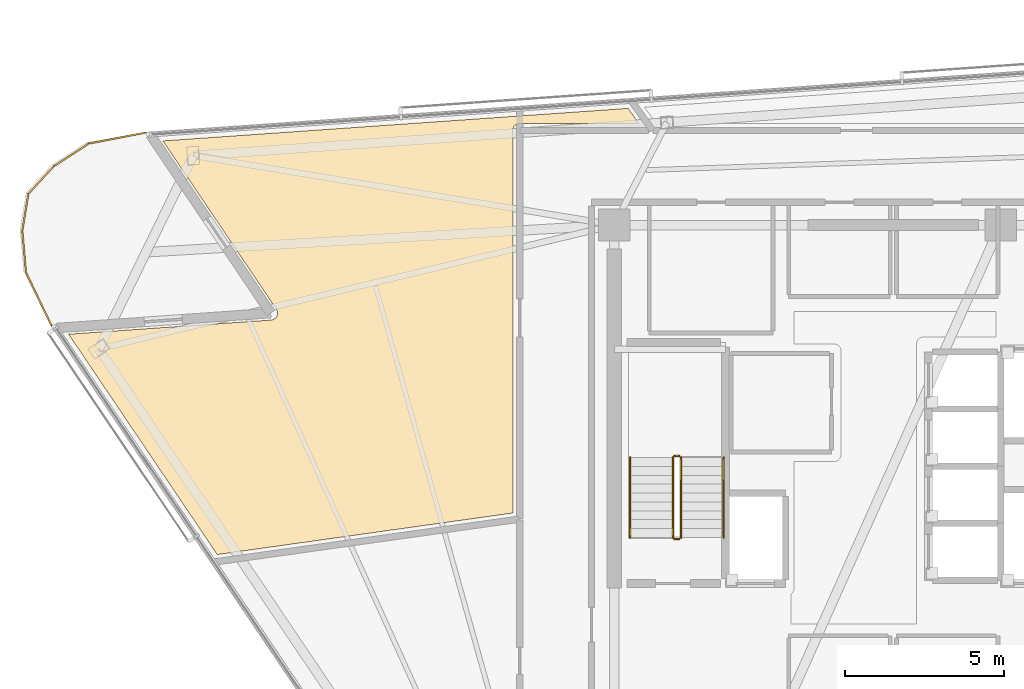
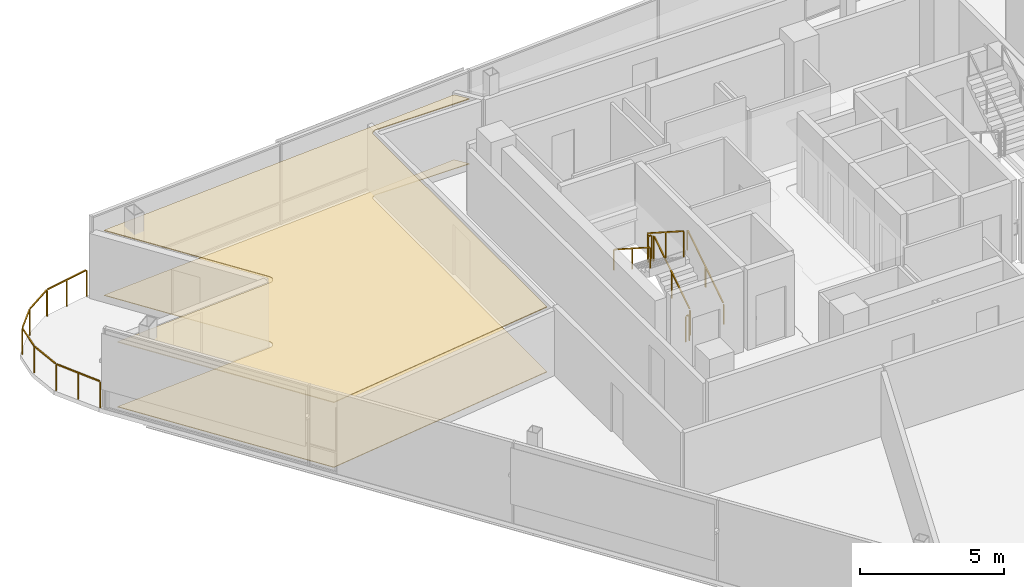
# One storey, part 14 of 16: 7 railings, 2 coverings.
"""IFC4 building model written with IfcOpenShell, lengths in metres."""

from ifc_helpers import new_model, si_unit, direction, frame, origin, origin_2d, place, context, subcontext, project, spatial, polyline, rectangle, outline, extrude, material, layer, layer_set, type_object, element, save


model = new_model("IFC4")

# Units and contexts
model_context = context("Model", 3, precision=1e-05, world=origin(), true_north=direction((0.0, 1.0)))
body_context = subcontext(model_context, "Body", "Model", "MODEL_VIEW")
ifc_project = project(units=[si_unit("LENGTHUNIT", "METRE"), si_unit("AREAUNIT", "SQUARE_METRE"), si_unit("VOLUMEUNIT", "CUBIC_METRE"), si_unit("PLANEANGLEUNIT", "RADIAN"), si_unit("MASSUNIT", "GRAM", prefix="KILO")], contexts=[model_context])

# Site, building, storey
site_placement = place(None, origin())
site = spatial("IfcSite", under=ifc_project, at=site_placement, CompositionType="ELEMENT")
building_placement = place(site_placement, origin())
building = spatial("IfcBuilding", under=site, at=building_placement, Name="Tharavind Bronze Gate", CompositionType="ELEMENT")
storey_placement = place(building_placement, frame((0.0, 0.0, 257.0)))
storey = spatial("IfcBuildingStorey", under=building, at=storey_placement, Name="L66", CompositionType="ELEMENT", Elevation=257.0)

# Coverings
ifc_material_1 = material(Name="Perforated Bronze Acoustic Panel", Category="bronze")
ifc_layer_1 = layer(ifc_material_1, 0.044921875)
ifc_layer_set_1 = layer_set([ifc_layer_1], Name="Perforated Bronze Acoustic Panel")
covering_type_1 = type_object("IfcCoveringType", Name="ACOUSTIC BRONZE BAFFLE CEILING", PredefinedType="CEILING", material=ifc_layer_set_1)
covering_1_placement = place(storey_placement, frame((0.0, 0.0, 2.75)))
element("IfcCovering", 1, at=covering_1_placement, inside=storey, type_object=covering_type_1, Name="L66-RM-03 suspended ceiling", PredefinedType="CEILING", context=body_context, shape_type="SweptSolid", body=[
    extrude(outline(polyline([(-21.416748046875, -2.787841796875), (-12.10009765625, -1.478515625), (-12.10009765625, 10.579345703125), (-12.099609375, 10.590087890625), (-12.099609375, 10.5908203125), (-12.09765625, 10.6123046875), (-12.093505859375, 10.63330078125), (-12.087158203125, 10.654052734375), (-12.078857421875, 10.674072265625), (-12.068603515625, 10.693115234375), (-12.056640625, 10.7109375), (-12.04296875, 10.727783203125), (-12.027587890625, 10.742919921875), (-12.010986328125, 10.756591796875), (-11.9931640625, 10.768798828125), (-11.97412109375, 10.77880859375), (-11.9541015625, 10.787109375), (-11.933349609375, 10.79345703125), (-11.912353515625, 10.797607421875), (-11.890869140625, 10.7998046875), (-11.89013671875, 10.7998046875), (-11.87939453125, 10.800048828125), (-8.11865234375, 10.800048828125), (-8.46630859375, 11.278564453125), (-23.13037109375, 10.253173828125), (-19.552490234375, 4.94873046875), (-19.546630859375, 4.939453125), (-19.54638671875, 4.93896484375), (-19.535888671875, 4.919677734375), (-19.52734375, 4.8994140625), (-19.52099609375, 4.87841796875), (-19.516845703125, 4.85693359375), (-19.514892578125, 4.835205078125), (-19.514892578125, 4.813232421875), (-19.51708984375, 4.79150390625), (-19.521484375, 4.77001953125), (-19.5283203125, 4.7490234375), (-19.536865234375, 4.728759765625), (-19.54736328125, 4.709716796875), (-19.559814453125, 4.69140625), (-19.573974609375, 4.6748046875), (-19.58984375, 4.65966796875), (-19.60693359375, 4.64599609375), (-19.62548828125, 4.63427734375), (-19.64501953125, 4.624267578125), (-19.66552734375, 4.6162109375), (-19.686767578125, 4.610595703125), (-19.708251953125, 4.606689453125), (-19.708984375, 4.606689453125), (-19.7197265625, 4.605712890625), (-26.1025390625, 4.1591796875), (-21.416748046875, -2.787841796875)])), origin(), (0.0, 0.0, 1.0), 0.034912109375),
])
ifc_material_2 = material(Name="Engineered Oak & Carpet Tile", Category="wood")
ifc_layer_2 = layer(ifc_material_2, 0.02490234375)
ifc_layer_set_2 = layer_set([ifc_layer_2], Name="Engineered Oak & Carpet Tile")
covering_type_2 = type_object("IfcCoveringType", Name="ENGINEERED TIMBER FLOORING", PredefinedType="FLOORING", material=ifc_layer_set_2)
covering_2_placement = place(storey_placement, origin())
element("IfcCovering", 2, at=covering_2_placement, inside=storey, type_object=covering_type_2, Name="L66-RM-03 floor finish", PredefinedType="FLOORING", context=body_context, shape_type="SweptSolid", body=[
    extrude(outline(polyline([(-21.416748046875, -2.787841796875), (-12.10009765625, -1.478515625), (-12.10009765625, 10.579345703125), (-12.099609375, 10.590087890625), (-12.099609375, 10.5908203125), (-12.09765625, 10.6123046875), (-12.093505859375, 10.63330078125), (-12.087158203125, 10.654052734375), (-12.078857421875, 10.674072265625), (-12.068603515625, 10.693115234375), (-12.056640625, 10.7109375), (-12.04296875, 10.727783203125), (-12.027587890625, 10.742919921875), (-12.010986328125, 10.756591796875), (-11.9931640625, 10.768798828125), (-11.97412109375, 10.77880859375), (-11.9541015625, 10.787109375), (-11.933349609375, 10.79345703125), (-11.912353515625, 10.797607421875), (-11.890869140625, 10.7998046875), (-11.89013671875, 10.7998046875), (-11.87939453125, 10.800048828125), (-8.11865234375, 10.800048828125), (-8.46630859375, 11.278564453125), (-23.13037109375, 10.253173828125), (-19.552490234375, 4.94873046875), (-19.546630859375, 4.939453125), (-19.54638671875, 4.93896484375), (-19.535888671875, 4.919677734375), (-19.52734375, 4.8994140625), (-19.52099609375, 4.87841796875), (-19.516845703125, 4.85693359375), (-19.514892578125, 4.835205078125), (-19.514892578125, 4.813232421875), (-19.51708984375, 4.79150390625), (-19.521484375, 4.77001953125), (-19.5283203125, 4.7490234375), (-19.536865234375, 4.728759765625), (-19.54736328125, 4.709716796875), (-19.559814453125, 4.69140625), (-19.573974609375, 4.6748046875), (-19.58984375, 4.65966796875), (-19.60693359375, 4.64599609375), (-19.62548828125, 4.63427734375), (-19.64501953125, 4.624267578125), (-19.66552734375, 4.6162109375), (-19.686767578125, 4.610595703125), (-19.708251953125, 4.606689453125), (-19.708984375, 4.606689453125), (-19.7197265625, 4.605712890625), (-26.1025390625, 4.1591796875), (-21.416748046875, -2.787841796875)])), origin(), (0.0, 0.0, 1.0), 0.02490234375),
])

# Railings
ifc_material_3 = material(Name="Brushed Bronze Alloy", Category="metal")
railing_type_1 = type_object("IfcRailingType", Name="STAIR BRONZE HANDRAIL 900", PredefinedType="HANDRAIL", material=ifc_material_3)
railing_1_placement = place(storey_placement, frame((-5.449951171875, -2.25, 0.179931640625)))
element("IfcRailing", 3, at=railing_1_placement, inside=storey, type_object=railing_type_1, Name="L66 ST1 stair handrail 1", PredefinedType="HANDRAIL", context=body_context, shape_type="SweptSolid", body=[
    extrude(rectangle(XDim=0.048095703125, YDim=0.048095703125, at=origin_2d()), frame((0.0, 0.02685546875, 0.89306640625), z_axis=(0.0, 0.841162588446, 0.540782303519), x_axis=(-1.0, 0.0, 0.0)), (0.0, 0.0, 1.0), 2.931884765625),
    extrude(rectangle(XDim=0.0400390625, YDim=0.0400390625, at=origin_2d()), origin(), (0.0, 0.0, 1.0), 0.847900390625),
    extrude(rectangle(XDim=0.0400390625, YDim=0.0400390625, at=origin_2d()), frame((0.0, 1.260009765625, 0.81005859375)), (0.0, 0.0, 1.0), 0.847900390625),
    extrude(rectangle(XDim=0.0400390625, YDim=0.0400390625, at=origin_2d()), frame((0.0, 2.52001953125, 1.6201171875)), (0.0, 0.0, 1.0), 0.847900390625),
])
railing_2_placement = place(storey_placement, frame((-8.39990234375, 0.27001953125, 1.97998046875)))
element("IfcRailing", 4, at=railing_2_placement, inside=storey, type_object=railing_type_1, Name="L66 ST1 stair handrail 2", PredefinedType="HANDRAIL", context=body_context, shape_type="SweptSolid", body=[
    extrude(rectangle(XDim=0.048095703125, YDim=0.048095703125, at=origin_2d()), frame((0.0, -0.02685546875, 0.89306640625), z_axis=(0.0, -0.841162588446, 0.540782303519), x_axis=(1.0, 0.0, 0.0)), (0.0, 0.0, 1.0), 2.931884765625),
    extrude(rectangle(XDim=0.0400390625, YDim=0.0400390625, at=origin_2d()), origin(), (0.0, 0.0, 1.0), 0.847900390625),
    extrude(rectangle(XDim=0.0400390625, YDim=0.0400390625, at=origin_2d()), frame((0.0, -1.260009765625, 0.81005859375)), (0.0, 0.0, 1.0), 0.847900390625),
    extrude(rectangle(XDim=0.0400390625, YDim=0.0400390625, at=origin_2d()), frame((0.0, -2.52001953125, 1.6201171875)), (0.0, 0.0, 1.0), 0.847900390625),
])
railing_type_2 = type_object("IfcRailingType", Name="STAIR WELL GUARD RAILING 1120", PredefinedType="GUARDRAIL", material=ifc_material_3)
railing_3_placement = place(storey_placement, frame((-6.800048828125, -2.25, 0.179931640625)))
element("IfcRailing", 5, at=railing_3_placement, inside=storey, type_object=railing_type_2, Name="L66 ST1 stair guard 1", PredefinedType="GUARDRAIL", context=body_context, shape_type="SweptSolid", body=[
    extrude(rectangle(XDim=0.048095703125, YDim=0.048095703125, at=origin_2d()), frame((0.0, 0.02685546875, 1.11328125), z_axis=(0.0, 0.841162588446, 0.540782303519), x_axis=(-1.0, 0.0, 0.0)), (0.0, 0.0, 1.0), 2.931884765625),
    extrude(rectangle(XDim=0.0400390625, YDim=0.0400390625, at=origin_2d()), origin(), (0.0, 0.0, 1.0), 1.068115234375),
    extrude(rectangle(XDim=0.0400390625, YDim=0.0400390625, at=origin_2d()), frame((0.0, 1.260009765625, 0.81005859375)), (0.0, 0.0, 1.0), 1.068115234375),
    extrude(rectangle(XDim=0.0400390625, YDim=0.0400390625, at=origin_2d()), frame((0.0, 2.52001953125, 1.6201171875)), (0.0, 0.0, 1.0), 1.068115234375),
])
railing_4_placement = place(storey_placement, frame((-6.85009765625, 0.320068359375, 1.800048828125)))
element("IfcRailing", 6, at=railing_4_placement, inside=storey, type_object=railing_type_2, Name="L66 ST1 stair guard 2", PredefinedType="GUARDRAIL", context=body_context, shape_type="SweptSolid", body=[
    extrude(rectangle(XDim=0.048095703125, YDim=0.048095703125, at=origin_2d()), frame((-0.031982421875, 0.0, 1.09619140625), z_axis=(-1.0, 0.0, 0.0), x_axis=(0.0, -1.0, 0.0)), (0.0, 0.0, 1.0), 0.0859375),
    extrude(rectangle(XDim=0.0400390625, YDim=0.0400390625, at=origin_2d()), origin(), (0.0, 0.0, 1.0), 1.068115234375),
    extrude(rectangle(XDim=0.0400390625, YDim=0.0400390625, at=origin_2d()), frame((-0.14990234375, 0.0, 0.0)), (0.0, 0.0, 1.0), 1.068115234375),
])
railing_5_placement = place(storey_placement, frame((-7.050048828125, 0.27001953125, 1.97998046875)))
element("IfcRailing", 7, at=railing_5_placement, inside=storey, type_object=railing_type_2, Name="L66 ST1 stair guard 3", PredefinedType="GUARDRAIL", context=body_context, shape_type="SweptSolid", body=[
    extrude(rectangle(XDim=0.048095703125, YDim=0.048095703125, at=origin_2d()), frame((0.0, -0.02685546875, 1.11328125), z_axis=(0.0, -0.841162588446, 0.540782303519), x_axis=(1.0, 0.0, 0.0)), (0.0, 0.0, 1.0), 2.931884765625),
    extrude(rectangle(XDim=0.0400390625, YDim=0.0400390625, at=origin_2d()), origin(), (0.0, 0.0, 1.0), 1.068115234375),
    extrude(rectangle(XDim=0.0400390625, YDim=0.0400390625, at=origin_2d()), frame((0.0, -1.260009765625, 0.81005859375)), (0.0, 0.0, 1.0), 1.068115234375),
    extrude(rectangle(XDim=0.0400390625, YDim=0.0400390625, at=origin_2d()), frame((0.0, -2.52001953125, 1.6201171875)), (0.0, 0.0, 1.0), 1.068115234375),
])
railing_6_placement = place(storey_placement, frame((-6.85009765625, -2.300048828125, 0.0)))
element("IfcRailing", 8, at=railing_6_placement, inside=storey, type_object=railing_type_2, Name="L66 ST1 stair guard 4", PredefinedType="GUARDRAIL", context=body_context, shape_type="SweptSolid", body=[
    extrude(rectangle(XDim=0.048095703125, YDim=0.048095703125, at=origin_2d()), frame((-0.031982421875, 0.0, 1.09619140625), z_axis=(-1.0, 0.0, 0.0), x_axis=(0.0, -1.0, 0.0)), (0.0, 0.0, 1.0), 0.0859375),
    extrude(rectangle(XDim=0.0400390625, YDim=0.0400390625, at=origin_2d()), origin(), (0.0, 0.0, 1.0), 1.068115234375),
    extrude(rectangle(XDim=0.0400390625, YDim=0.0400390625, at=origin_2d()), frame((-0.14990234375, 0.0, 0.0)), (0.0, 0.0, 1.0), 1.068115234375),
])
ifc_material_4 = material(Name="Bronze Cap & Laminated Glass", Category="glass")
railing_type_3 = type_object("IfcRailingType", Name="TERRACE GLASS GUARD RAILING 1150", PredefinedType="GUARDRAIL", material=ifc_material_4)
railing_7_placement = place(storey_placement, frame((-26.641845703125, 4.42236328125, 0.0)))
element("IfcRailing", 9, at=railing_7_placement, inside=storey, type_object=railing_type_3, Name="L66 tree balcony guard railing", PredefinedType="GUARDRAIL", context=body_context, shape_type="SweptSolid", body=[
    extrude(rectangle(XDim=0.048095703125, YDim=0.048095703125, at=origin_2d()), frame((-0.013671875, 0.02880859375, 1.1259765625), z_axis=(-0.430751391527, 0.902470630379, 0.0), x_axis=(-0.902470630379, -0.430751391527, 0.0)), (0.0, 0.0, 1.0), 1.80126953125),
    extrude(rectangle(XDim=0.048095703125, YDim=0.048095703125, at=origin_2d()), frame((-0.806396484375, 1.71533203125, 1.1259765625), z_axis=(-0.089334965903, 0.996001638486, 0.0), x_axis=(-0.996001638486, -0.089334965903, 0.0)), (0.0, 0.0, 1.0), 1.255859375),
    extrude(rectangle(XDim=0.048095703125, YDim=0.048095703125, at=origin_2d()), frame((-0.916259765625, 3.029541015625, 1.1259765625), z_axis=(0.162720183317, 0.986672256599, 0.0), x_axis=(-0.986672256599, 0.162720183317, 0.0)), (0.0, 0.0, 1.0), 1.115234375),
    extrude(rectangle(XDim=0.048095703125, YDim=0.048095703125, at=origin_2d()), frame((-0.707763671875, 4.18505859375, 1.1259765625), z_axis=(0.677316588689, 0.735691673656, 0.0), x_axis=(-0.735691673656, 0.677316588689, 0.0)), (0.0, 0.0, 1.0), 1.115478515625),
    extrude(rectangle(XDim=0.048095703125, YDim=0.048095703125, at=origin_2d()), frame((0.09619140625, 5.046630859375, 1.1259765625), z_axis=(0.839847920102, 0.542821767342, 0.0), x_axis=(-0.542821767342, 0.839847920102, 0.0)), (0.0, 0.0, 1.0), 1.256103515625),
    extrude(rectangle(XDim=0.048095703125, YDim=0.048095703125, at=origin_2d()), frame((1.20947265625, 5.751953125, 1.1259765625), z_axis=(0.98171467538, 0.190358336157, 0.0), x_axis=(-0.190358336157, 0.98171467538, 0.0)), (0.0, 0.0, 1.0), 1.763671875),
    extrude(rectangle(XDim=0.0400390625, YDim=0.0400390625, at=origin_2d()), origin(), (0.0, 0.0, 1.0), 1.097900390625),
    extrude(rectangle(XDim=0.0400390625, YDim=0.0400390625, at=origin_2d()), frame((-0.40185546875, 0.841796875, 0.0)), (0.0, 0.0, 1.0), 1.097900390625),
    extrude(rectangle(XDim=0.0400390625, YDim=0.0400390625, at=origin_2d()), frame((-0.803466796875, 1.683349609375, 0.0)), (0.0, 0.0, 1.0), 1.097900390625),
    extrude(rectangle(XDim=0.0400390625, YDim=0.0400390625, at=origin_2d()), frame((-0.92138671875, 2.998046875, 0.0)), (0.0, 0.0, 1.0), 1.097900390625),
    extrude(rectangle(XDim=0.0400390625, YDim=0.0400390625, at=origin_2d()), frame((-0.7294921875, 4.16162109375, 0.0)), (0.0, 0.0, 1.0), 1.097900390625),
    extrude(rectangle(XDim=0.0400390625, YDim=0.0400390625, at=origin_2d()), frame((0.0693359375, 5.029296875, 0.0)), (0.0, 0.0, 1.0), 1.097900390625),
    extrude(rectangle(XDim=0.0400390625, YDim=0.0400390625, at=origin_2d()), frame((1.177978515625, 5.745849609375, 0.0)), (0.0, 0.0, 1.0), 1.097900390625),
    extrude(rectangle(XDim=0.0400390625, YDim=0.0400390625, at=origin_2d()), frame((2.0751953125, 5.919921875, 0.0)), (0.0, 0.0, 1.0), 1.097900390625),
    extrude(rectangle(XDim=0.0400390625, YDim=0.0400390625, at=origin_2d()), frame((2.97216796875, 6.09375, 0.0)), (0.0, 0.0, 1.0), 1.097900390625),
])

save(model, "model.ifc")
